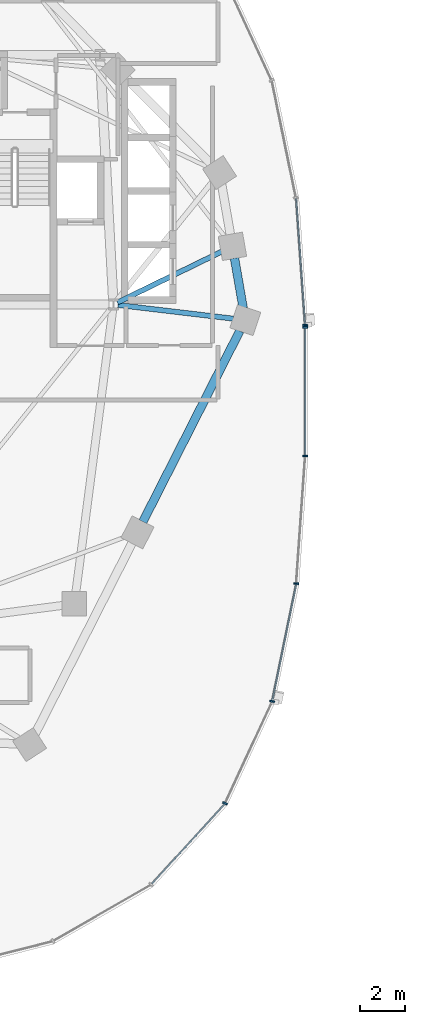
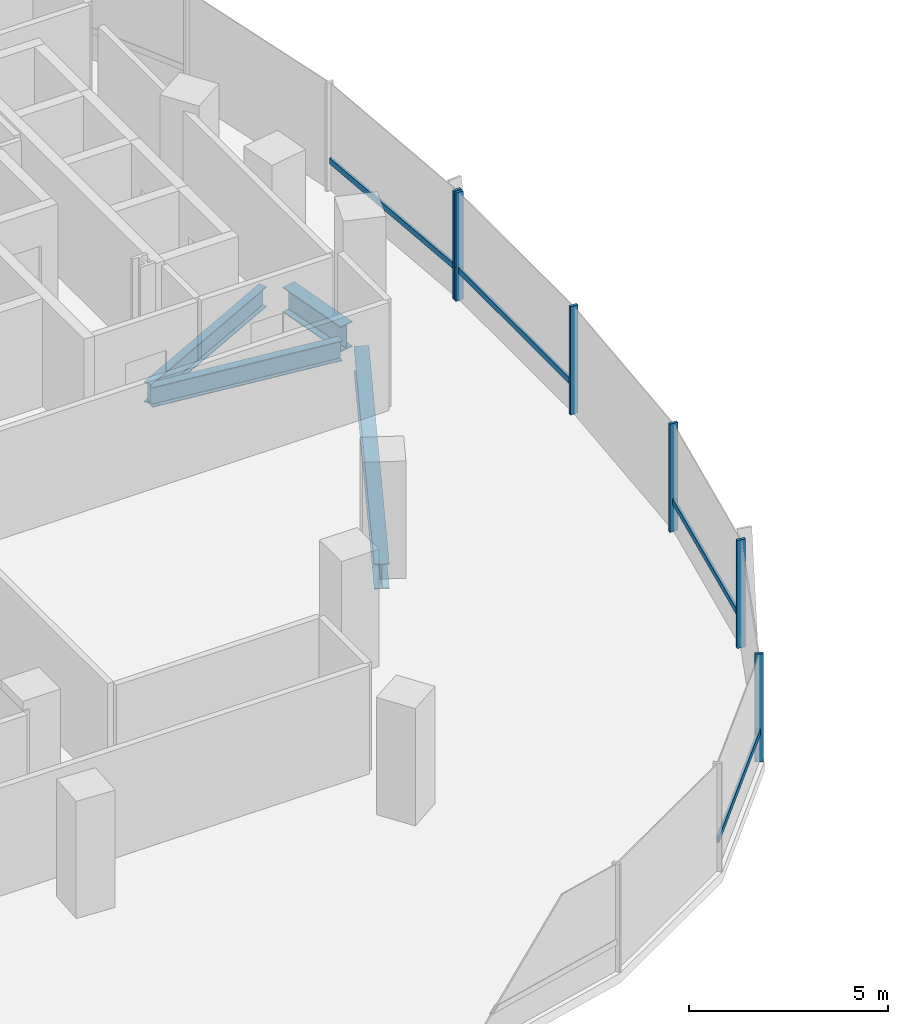
# One storey, part 3 of 20: 10 members, 4 beams, 2 elements without a shape of their own.
"""IFC4 building model written with IfcOpenShell, lengths in metres."""

from ifc_helpers import new_model, si_unit, direction, frame, origin, origin_2d, place, context, subcontext, project, spatial, rectangle, i_section, extrude, material, material_profile, profile_set, type_object, element, aggregate, save


model = new_model("IFC4")

# Units and contexts
model_context = context("Model", 3, precision=1e-05, world=origin(), true_north=direction((0.0, 1.0)))
body_context = subcontext(model_context, "Body", "Model", "MODEL_VIEW")
ifc_project = project(units=[si_unit("LENGTHUNIT", "METRE"), si_unit("AREAUNIT", "SQUARE_METRE"), si_unit("VOLUMEUNIT", "CUBIC_METRE"), si_unit("PLANEANGLEUNIT", "RADIAN"), si_unit("MASSUNIT", "GRAM", prefix="KILO"), si_unit("THERMODYNAMICTEMPERATUREUNIT", "KELVIN"), si_unit("POWERUNIT", "WATT")], contexts=[model_context])

# Site, building, storey
site_placement = place(None, origin())
site = spatial("IfcSite", under=ifc_project, at=site_placement, CompositionType="ELEMENT")
building_placement = place(site_placement, origin())
building = spatial("IfcBuilding", under=site, at=building_placement, Name="Cundina Bronze Exchange", CompositionType="ELEMENT")
storey_placement = place(building_placement, frame((0.0, 0.0, 128.60009765625)))
storey = spatial("IfcBuildingStorey", under=building, at=storey_placement, Name="L33", CompositionType="ELEMENT", Elevation=128.60009765625)

# Beams
ifc_material_1 = material(Name="Steel ASTM A992 Grade 50", Category="steel")
ifc_material_profile_1 = material_profile(ifc_material_1, i_section(OverallWidth=0.22998046875, OverallDepth=0.616943359375, WebThickness=0.01318359375, FlangeThickness=0.022216796875, FilletRadius=0.013916015625, at=origin_2d()), Name="W24X94", Category="steel")
ifc_profile_set_1 = profile_set([ifc_material_profile_1], Name="Steel ASTM A992 Grade 50")
beam_type_1 = type_object("IfcBeamType", Name="BM-FLR-W24B", PredefinedType="BEAM", material=ifc_profile_set_1)
beam_1_placement = place(storey_placement, frame((-21.247314453125, 3.8759765625, -0.608642578125), z_axis=(0.993035701683, -0.117813815752, 0.0), x_axis=(0.117813815752, 0.993035701683, 0.0)))
element("IfcBeam", 1, at=beam_1_placement, inside=storey, type_object=beam_type_1, Name="L33 Leg W Radial Floor Beam 00", PredefinedType="BEAM", context=body_context, shape_type="SweptSolid", body=[
    extrude(i_section(OverallWidth=0.22998046875, OverallDepth=0.616943359375, WebThickness=0.01318359375, FlangeThickness=0.022216796875, FilletRadius=0.013916015625, at=origin_2d()), origin(), (0.0, 0.0, 1.0), 5.19921875),
])
beam_2_placement = place(storey_placement, frame((-21.2666015625, 3.989501953125, -0.608642578125), z_axis=(0.898607246385, 0.438753936443, 0.0), x_axis=(-0.438753936443, 0.898607246385, 0.0)))
element("IfcBeam", 2, at=beam_2_placement, inside=storey, type_object=beam_type_1, Name="L33 Leg W Radial Floor Beam 01", PredefinedType="BEAM", context=body_context, shape_type="SweptSolid", body=[
    extrude(i_section(OverallWidth=0.22998046875, OverallDepth=0.616943359375, WebThickness=0.01318359375, FlangeThickness=0.022216796875, FilletRadius=0.013916015625, at=origin_2d()), origin(), (0.0, 0.0, 1.0), 5.183837890625),
])
ifc_material_profile_2 = material_profile(ifc_material_1, i_section(OverallWidth=0.381103515625, OverallDepth=0.77294921875, WebThickness=0.0166015625, FlangeThickness=0.027099609375, FilletRadius=0.01904296875, at=origin_2d()), Name="W30X173", Category="steel")
ifc_profile_set_2 = profile_set([ifc_material_profile_2], Name="Steel ASTM A992 Grade 50")
beam_type_2 = type_object("IfcBeamType", Name="BM-RING-W30", PredefinedType="USERDEFINED", material=ifc_profile_set_2)
beam_3_placement = place(storey_placement, frame((-15.642333984375, 3.72998046875, -0.6865234375), z_axis=(-0.171690078326, 0.985151012284, 0.0), x_axis=(-0.985151012284, -0.171690078326, 0.0)))
element("IfcBeam", 3, at=beam_3_placement, inside=storey, type_object=beam_type_2, Name="L33 W Perimeter Ring Girder 00", ObjectType="GIRDER", PredefinedType="USERDEFINED", context=body_context, shape_type="SweptSolid", body=[
    extrude(i_section(OverallWidth=0.381103515625, OverallDepth=0.77294921875, WebThickness=0.0166015625, FlangeThickness=0.027099609375, FilletRadius=0.01904296875, at=origin_2d()), origin(), (0.0, 0.0, 1.0), 2.273681640625),
])
beam_4_placement = place(storey_placement, frame((-20.13134765625, -5.8203125, -0.6865234375), z_axis=(0.452832332744, 0.891595692241, 0.0), x_axis=(-0.891595692241, 0.452832332744, 0.0)))
element("IfcBeam", 4, at=beam_4_placement, inside=storey, type_object=beam_type_2, Name="L33 W Perimeter Ring Girder 13", ObjectType="GIRDER", PredefinedType="USERDEFINED", context=body_context, shape_type="SweptSolid", body=[
    extrude(i_section(OverallWidth=0.381103515625, OverallDepth=0.77294921875, WebThickness=0.0166015625, FlangeThickness=0.027099609375, FilletRadius=0.01904296875, at=origin_2d()), origin(), (0.0, 0.0, 1.0), 9.578857421875),
])

# Curtain wall, member
ifc_material_2 = material(Name="Anodised Bronze Aluminium 6063-T6", Category="aluminium")
curtain_wall_type = type_object("IfcCurtainWallType", Name="CWS-TRD-MID", PredefinedType="NOTDEFINED", material=ifc_material_2)
curtain_wall_1_placement = place(storey_placement, origin())
curtain_wall_1 = element("IfcCurtainWall", 5, at=curtain_wall_1_placement, inside=storey, type_object=curtain_wall_type, Name="L33 CW-03 Curtain Wall Run CWR-L33-W1", PredefinedType="NOTDEFINED")
ifc_material_profile_3 = material_profile(ifc_material_2, rectangle(XDim=0.074951171875, YDim=0.219970703125, at=origin_2d()), Name="AL75X220", Category="aluminium")
ifc_profile_set_3 = profile_set([ifc_material_profile_3], Name="Anodised Bronze Aluminium 6063-T6")
member_type_1 = type_object("IfcMemberType", Name="CWM-MUL-220", PredefinedType="MULLION", material=ifc_profile_set_3)
member_1_placement = place(storey_placement, frame((-12.87548828125, 2.976318359375, 0.0), z_axis=(0.0, 0.0, 1.0), x_axis=(-0.070278787473, 0.997527389113, 0.0)))
member_1 = element("IfcMember", 6, at=member_1_placement, type_object=member_type_1, Name="CW-03 Mullion 1", PredefinedType="MULLION", context=body_context, shape_type="SweptSolid", body=[
    extrude(rectangle(XDim=0.074951171875, YDim=0.219970703125, at=origin_2d()), origin(), (0.0, 0.0, 1.0), 3.31982421875),
])

# Curtain wall, members
curtain_wall_2_placement = place(storey_placement, origin())
curtain_wall_2 = element("IfcCurtainWall", 7, at=curtain_wall_2_placement, inside=storey, type_object=curtain_wall_type, Name="L33 CW-03 Curtain Wall Run CWR-L33-W4", PredefinedType="NOTDEFINED")
member_2_placement = place(storey_placement, frame((-16.455810546875, -18.423583984375, 0.0), z_axis=(0.0, 0.0, 1.0), x_axis=(0.42087749791, 0.907117485088, 0.0)))
member_2 = element("IfcMember", 8, at=member_2_placement, type_object=member_type_1, Name="CW-03 Mullion 4", PredefinedType="MULLION", context=body_context, shape_type="SweptSolid", body=[
    extrude(rectangle(XDim=0.074951171875, YDim=0.219970703125, at=origin_2d()), origin(), (0.0, 0.0, 1.0), 3.31982421875),
])
member_3_placement = place(storey_placement, frame((-14.348876953125, -13.861328125, 0.0), z_axis=(0.0, 0.0, 1.0), x_axis=(0.201419845156, 0.979505000486, 0.0)))
member_3 = element("IfcMember", 9, at=member_3_placement, type_object=member_type_1, Name="CW-03 Mullion 5", PredefinedType="MULLION", context=body_context, shape_type="SweptSolid", body=[
    extrude(rectangle(XDim=0.074951171875, YDim=0.219970703125, at=origin_2d()), origin(), (0.0, 0.0, 1.0), 3.31982421875),
])
member_4_placement = place(storey_placement, frame((-13.27099609375, -8.591552734375, 0.0), z_axis=(0.0, 0.0, 1.0), x_axis=(0.070278787473, 0.997527389113, 0.0)))
member_4 = element("IfcMember", 10, at=member_4_placement, type_object=member_type_1, Name="CW-03 Mullion 6", PredefinedType="MULLION", context=body_context, shape_type="SweptSolid", body=[
    extrude(rectangle(XDim=0.074951171875, YDim=0.219970703125, at=origin_2d()), origin(), (0.0, 0.0, 1.0), 3.31982421875),
])
member_5_placement = place(storey_placement, frame((-12.8720703125, -2.880615234375, 0.0), z_axis=(0.0, 0.0, 1.0), x_axis=(0.0, 1.0, 0.0)))
member_5 = element("IfcMember", 11, at=member_5_placement, type_object=member_type_1, Name="CW-03 Mullion 7", PredefinedType="MULLION", context=body_context, shape_type="SweptSolid", body=[
    extrude(rectangle(XDim=0.074951171875, YDim=0.219970703125, at=origin_2d()), origin(), (0.0, 0.0, 1.0), 3.31982421875),
])
member_6_placement = place(storey_placement, frame((-12.8720703125, 2.880615234375, 0.0), z_axis=(0.0, 0.0, 1.0), x_axis=(0.0, 1.0, 0.0)))
member_6 = element("IfcMember", 12, at=member_6_placement, type_object=member_type_1, Name="CW-03 End Mullion", PredefinedType="MULLION", context=body_context, shape_type="SweptSolid", body=[
    extrude(rectangle(XDim=0.074951171875, YDim=0.219970703125, at=origin_2d()), origin(), (0.0, 0.0, 1.0), 3.31982421875),
])

# Member
ifc_material_profile_4 = material_profile(ifc_material_2, rectangle(XDim=0.070068359375, YDim=0.179931640625, at=origin_2d()), Name="AL70X180", Category="aluminium")
ifc_profile_set_4 = profile_set([ifc_material_profile_4], Name="Anodised Bronze Aluminium 6063-T6")
member_type_2 = type_object("IfcMemberType", Name="CWM-TRN-180", PredefinedType="USERDEFINED", material=ifc_profile_set_4)
member_7_placement = place(storey_placement, frame((-12.87841796875, 3.017333984375, 0.919921875), z_axis=(-0.070260714471, 0.997528662246, 0.0), x_axis=(-0.997528662246, -0.070260714471, 0.0)))
member_7 = element("IfcMember", 13, at=member_7_placement, type_object=member_type_2, Name="CW-03 Spandrel Transom 1", ObjectType="TRANSOM", PredefinedType="USERDEFINED", context=body_context, shape_type="SweptSolid", body=[
    extrude(rectangle(XDim=0.070068359375, YDim=0.179931640625, at=origin_2d()), origin(), (0.0, 0.0, 1.0), 5.629150390625),
])

aggregate(curtain_wall_1, [member_1, member_7])

member_8_placement = place(storey_placement, frame((-19.73291015625, -22.027099609375, 0.919921875), z_axis=(0.674302794847, 0.738454968743, 0.0), x_axis=(-0.738454968743, 0.674302794847, 0.0)))
member_8 = element("IfcMember", 14, at=member_8_placement, type_object=member_type_2, Name="CW-03 Spandrel Transom 3", ObjectType="TRANSOM", PredefinedType="USERDEFINED", context=body_context, shape_type="SweptSolid", body=[
    extrude(rectangle(XDim=0.070068359375, YDim=0.179931640625, at=origin_2d()), origin(), (0.0, 0.0, 1.0), 4.848388671875),
])

member_9_placement = place(storey_placement, frame((-14.340576171875, -13.821044921875, 0.919921875), z_axis=(0.201427712708, 0.979503382615, 0.0), x_axis=(-0.979503382615, 0.201427712708, 0.0)))
member_9 = element("IfcMember", 15, at=member_9_placement, type_object=member_type_2, Name="CW-03 Spandrel Transom 5", ObjectType="TRANSOM", PredefinedType="USERDEFINED", context=body_context, shape_type="SweptSolid", body=[
    extrude(rectangle(XDim=0.070068359375, YDim=0.179931640625, at=origin_2d()), origin(), (0.0, 0.0, 1.0), 5.291748046875),
])

member_10_placement = place(storey_placement, frame((-12.8720703125, -2.839111328125, 0.919921875), z_axis=(0.0, 1.0, 0.0), x_axis=(-1.0, 0.0, 0.0)))
member_10 = element("IfcMember", 16, at=member_10_placement, type_object=member_type_2, Name="CW-03 Spandrel Transom 7", ObjectType="TRANSOM", PredefinedType="USERDEFINED", context=body_context, shape_type="SweptSolid", body=[
    extrude(rectangle(XDim=0.070068359375, YDim=0.179931640625, at=origin_2d()), origin(), (0.0, 0.0, 1.0), 5.67822265625),
])

aggregate(curtain_wall_2, [member_8, member_2, member_3, member_9, member_4, member_5, member_6, member_10])

save(model, "model.ifc")
